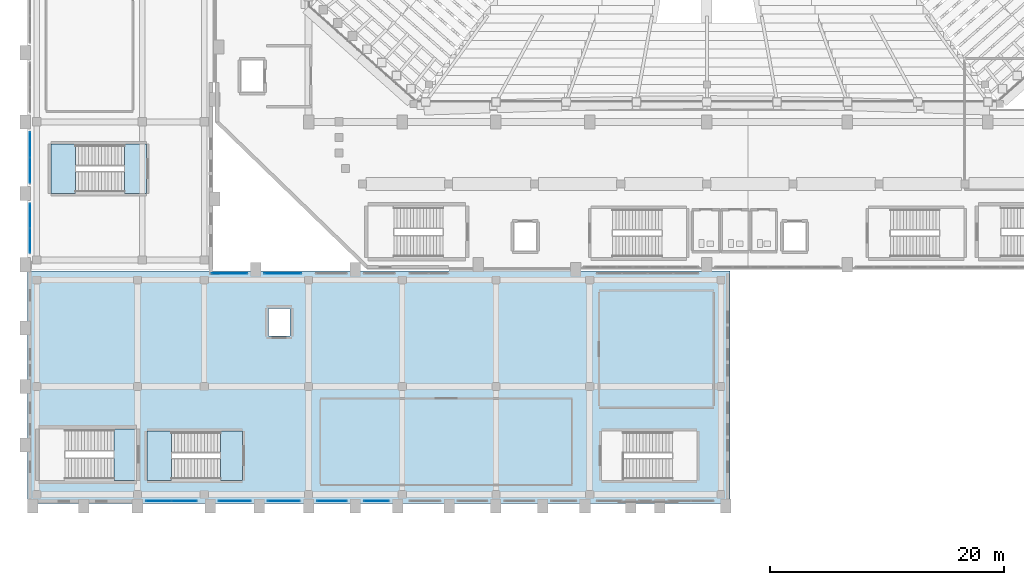
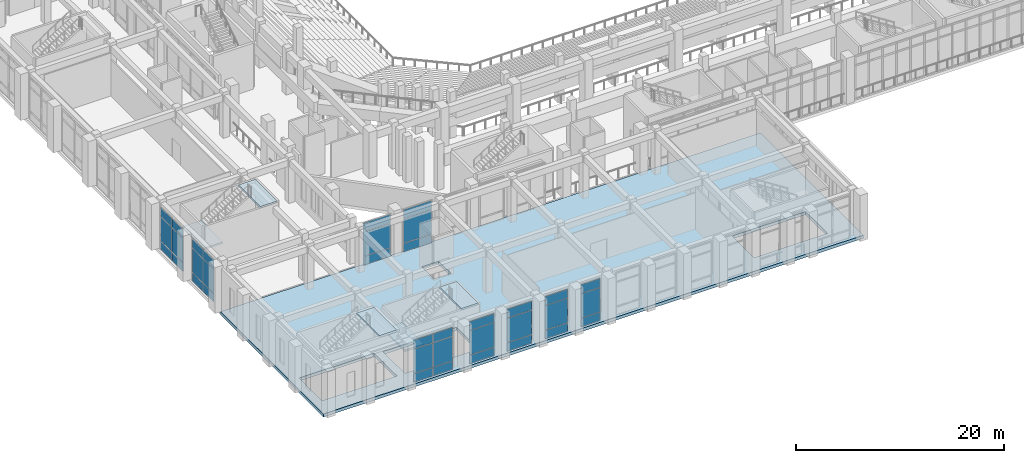
# One storey, part 84 of 159: 36 plates, 6 slabs, 12 elements without a shape of their own.
"""IFC4 building model written with IfcOpenShell, lengths in metres."""

from ifc_helpers import new_model, si_unit, derived_unit, direction, frame, origin, origin_2d, place, context, subcontext, project, spatial, polyline, rectangle, outline, extrude, material, layer, layer_set, type_object, element, aggregate, save


model = new_model("IFC4")

# Units and contexts
model_context = context("Model", 3, precision=1e-05, world=origin(), true_north=direction((0.0, 1.0)))
body_context = subcontext(model_context, "Body", "Model", "MODEL_VIEW")
ifc_project = project(units=[si_unit("LENGTHUNIT", "METRE"), si_unit("AREAUNIT", "SQUARE_METRE"), si_unit("VOLUMEUNIT", "CUBIC_METRE"), si_unit("PLANEANGLEUNIT", "RADIAN"), si_unit("MASSUNIT", "GRAM", prefix="KILO"), derived_unit("THERMALTRANSMITTANCEUNIT", [(si_unit("MASSUNIT", "GRAM", prefix="KILO"), 1), (si_unit("TIMEUNIT", "SECOND"), -3), (si_unit("THERMODYNAMICTEMPERATUREUNIT", "KELVIN"), -1)])], contexts=[model_context])

# Site, building, storey
site_placement = place(None, origin())
site = spatial("IfcSite", under=ifc_project, at=site_placement, CompositionType="ELEMENT")
building_placement = place(site_placement, origin())
building = spatial("IfcBuilding", under=site, at=building_placement, Name="Valcora Ridge Arena", CompositionType="ELEMENT")
storey_placement = place(building_placement, frame((0.0, 0.0, 6.0)))
storey = spatial("IfcBuildingStorey", under=building, at=storey_placement, Name="L01", CompositionType="ELEMENT", Elevation=6.0)

# Stair, slabs
ifc_material_1 = material(Name="Concrete C40/50", Category="concrete")
stair_type_1 = type_object("IfcStairType", Name="TY-STAIR-ES05-54", PredefinedType="HALF_TURN_STAIR", material=ifc_material_1)
stair_1_placement = place(storey_placement, origin())
stair_1 = element("IfcStair", 1, at=stair_1_placement, inside=storey, type_object=stair_type_1, Name="ES05-54 STR-ES-0018", PredefinedType="HALF_TURN_STAIR")
ifc_layer_1 = layer(ifc_material_1, 0.199951171875, Name="Concrete C40/50")
ifc_layer_set_1 = layer_set([ifc_layer_1], Name="Concrete C40/50")
slab_type_1 = type_object("IfcSlabType", Name="TY-LAND-ES05-54", PredefinedType="LANDING", material=ifc_layer_set_1)
slab_1_placement = place(storey_placement, frame((0.0, 0.0, 2.5)))
slab_1 = element("IfcSlab", 2, at=slab_1_placement, type_object=slab_type_1, Name="ES05-54 landing 1", PredefinedType="LANDING", context=body_context, shape_type="SweptSolid", body=[
    extrude(outline(polyline([(10.201904296875, 2.001953125), (12.320068359375, 2.001953125), (12.320068359375, 6.197998046875), (10.201904296875, 6.197998046875), (10.201904296875, 2.001953125)])), origin(), (0.0, 0.0, 1.0), 0.199951171875),
])
slab_2_placement = place(storey_placement, frame((0.0, 0.0, 5.199951171875)))
slab_2 = element("IfcSlab", 3, at=slab_2_placement, type_object=slab_type_1, Name="ES05-54 landing 2", PredefinedType="LANDING", context=body_context, shape_type="SweptSolid", body=[
    extrude(outline(polyline([(16.47998046875, 2.001953125), (18.35791015625, 2.001953125), (18.35791015625, 6.197998046875), (16.47998046875, 6.197998046875), (16.47998046875, 2.001953125)])), origin(), (0.0, 0.0, 1.0), 0.199951171875),
])
aggregate(stair_1, [slab_1, slab_2])

stair_type_2 = type_object("IfcStairType", Name="TY-STAIR-ES07-54", PredefinedType="HALF_TURN_STAIR", material=ifc_material_1)
stair_2_placement = place(storey_placement, origin())
stair_2 = element("IfcStair", 4, at=stair_2_placement, inside=storey, type_object=stair_type_2, Name="ES07-54 STR-ES-0024", PredefinedType="HALF_TURN_STAIR")
ifc_layer_2 = layer(ifc_material_1, 0.199951171875, Name="Concrete C40/50")
ifc_layer_set_2 = layer_set([ifc_layer_2], Name="Concrete C40/50")
slab_type_2 = type_object("IfcSlabType", Name="TY-LAND-ES07-54", PredefinedType="LANDING", material=ifc_layer_set_2)
slab_3_placement = place(storey_placement, frame((0.0, 0.0, 2.5)))
slab_3 = element("IfcSlab", 5, at=slab_3_placement, type_object=slab_type_2, Name="ES07-54 landing 1", PredefinedType="LANDING", context=body_context, shape_type="SweptSolid", body=[
    extrude(outline(polyline([(2.001953125, 26.501953125), (4.1201171875, 26.501953125), (4.1201171875, 30.697998046875), (2.001953125, 30.697998046875), (2.001953125, 26.501953125)])), origin(), (0.0, 0.0, 1.0), 0.199951171875),
])
slab_4_placement = place(storey_placement, frame((0.0, 0.0, 5.199951171875)))
slab_4 = element("IfcSlab", 6, at=slab_4_placement, type_object=slab_type_2, Name="ES07-54 landing 2", PredefinedType="LANDING", context=body_context, shape_type="SweptSolid", body=[
    extrude(outline(polyline([(8.280029296875, 26.501953125), (10.157958984375, 26.501953125), (10.157958984375, 30.697998046875), (8.280029296875, 30.697998046875), (8.280029296875, 26.501953125)])), origin(), (0.0, 0.0, 1.0), 0.199951171875),
])
aggregate(stair_2, [slab_3, slab_4])

# Stair, slab
stair_type_3 = type_object("IfcStairType", Name="TY-STAIR-ST07-54", PredefinedType="HALF_TURN_STAIR", material=ifc_material_1)
stair_3_placement = place(storey_placement, origin())
stair_3 = element("IfcStair", 7, at=stair_3_placement, inside=storey, type_object=stair_type_3, Name="ST07-54 STR-CR-0032", PredefinedType="HALF_TURN_STAIR")
ifc_layer_3 = layer(ifc_material_1, 0.199951171875, Name="Concrete C40/50")
ifc_layer_set_3 = layer_set([ifc_layer_3], Name="Concrete C40/50")
slab_type_3 = type_object("IfcSlabType", Name="TY-LAND-ST07-54", PredefinedType="LANDING", material=ifc_layer_set_3)
slab_5_placement = place(storey_placement, frame((0.0, 0.0, 5.199951171875)))
slab_5 = element("IfcSlab", 8, at=slab_5_placement, type_object=slab_type_3, Name="ST07-54 landing 2", PredefinedType="LANDING", context=body_context, shape_type="SweptSolid", body=[
    extrude(outline(polyline([(7.389892578125, 2.001953125), (9.318115234375, 2.001953125), (9.318115234375, 6.39794921875), (7.389892578125, 6.39794921875), (7.389892578125, 2.001953125)])), origin(), (0.0, 0.0, 1.0), 0.199951171875),
])
aggregate(stair_3, [slab_5])

# Curtain wall, plates
ifc_material_2 = material(Name="Anodised dark bronze architectural aluminium 6063-T6", Category="aluminium")
ifc_layer_4 = layer(ifc_material_2, 0.14990234375, Name="Anodised dark bronze architectural aluminium 6063-T6")
ifc_layer_set_4 = layer_set([ifc_layer_4], Name="Anodised dark bronze architectural aluminium 6063-T6")
curtain_wall_type_1 = type_object("IfcCurtainWallType", Name="TY-CURTAINWALL-CW-V4-CLUB-043X50", PredefinedType="NOTDEFINED", material=ifc_layer_set_4)
curtain_wall_1_placement = place(storey_placement, origin())
curtain_wall_1 = element("IfcCurtainWall", 9, at=curtain_wall_1_placement, inside=storey, type_object=curtain_wall_type_1, Name="CW-V4-CLUB-043X50 CW-0222", PredefinedType="NOTDEFINED")
ifc_material_3 = material(Name="Low-iron solar-control double glazing SHGC 0.28", Category="glass")
ifc_layer_5 = layer(ifc_material_3, 0.028076171875, Name="Low-iron solar-control double glazing SHGC 0.28")
ifc_layer_set_5 = layer_set([ifc_layer_5], Name="Low-iron solar-control double glazing SHGC 0.28")
plate_type_1 = type_object("IfcPlateType", Name="TY-PLT-CWP-2060X0975", PredefinedType="CURTAIN_PANEL", material=ifc_layer_set_5)
plate_1_placement = place(storey_placement, frame((0.219970703125, 22.469970703125, 0.050048828125), z_axis=(0.0, 0.0, 1.0), x_axis=(0.0, 1.0, 0.0)))
plate_1 = element("IfcPlate", 10, at=plate_1_placement, type_object=plate_type_1, Name="CW-0222/P00-00", PredefinedType="CURTAIN_PANEL", context=body_context, shape_type="SweptSolid", body=[
    extrude(rectangle(XDim=2.06005859375, YDim=0.028076171875, at=origin_2d()), origin(), (0.0, 0.0, 1.0), 0.97509765625),
])
plate_2_placement = place(storey_placement, frame((0.219970703125, 24.580078125, 0.050048828125), z_axis=(0.0, 0.0, 1.0), x_axis=(0.0, 1.0, 0.0)))
plate_2 = element("IfcPlate", 11, at=plate_2_placement, type_object=plate_type_1, Name="CW-0222/P01-00", PredefinedType="CURTAIN_PANEL", context=body_context, shape_type="SweptSolid", body=[
    extrude(rectangle(XDim=2.06005859375, YDim=0.028076171875, at=origin_2d()), origin(), (0.0, 0.0, 1.0), 0.97509765625),
])
ifc_layer_6 = layer(ifc_material_3, 0.028076171875, Name="Low-iron solar-control double glazing SHGC 0.28")
ifc_layer_set_6 = layer_set([ifc_layer_6], Name="Low-iron solar-control double glazing SHGC 0.28")
plate_type_2 = type_object("IfcPlateType", Name="TY-PLT-CWP-2060X1025", PredefinedType="CURTAIN_PANEL", material=ifc_layer_set_6)
plate_3_placement = place(storey_placement, frame((0.219970703125, 22.469970703125, 3.965087890625), z_axis=(0.0, 0.0, 1.0), x_axis=(0.0, 1.0, 0.0)))
plate_3 = element("IfcPlate", 12, at=plate_3_placement, type_object=plate_type_2, Name="CW-0222/P00-02", PredefinedType="CURTAIN_PANEL", context=body_context, shape_type="SweptSolid", body=[
    extrude(rectangle(XDim=2.06005859375, YDim=0.028076171875, at=origin_2d()), origin(), (0.0, 0.0, 1.0), 1.02490234375),
])
plate_4_placement = place(storey_placement, frame((0.219970703125, 24.580078125, 3.965087890625), z_axis=(0.0, 0.0, 1.0), x_axis=(0.0, 1.0, 0.0)))
plate_4 = element("IfcPlate", 13, at=plate_4_placement, type_object=plate_type_2, Name="CW-0222/P01-02", PredefinedType="CURTAIN_PANEL", context=body_context, shape_type="SweptSolid", body=[
    extrude(rectangle(XDim=2.06005859375, YDim=0.028076171875, at=origin_2d()), origin(), (0.0, 0.0, 1.0), 1.02490234375),
])
ifc_layer_7 = layer(ifc_material_3, 0.028076171875, Name="Low-iron solar-control double glazing SHGC 0.28")
ifc_layer_set_7 = layer_set([ifc_layer_7], Name="Low-iron solar-control double glazing SHGC 0.28")
plate_type_3 = type_object("IfcPlateType", Name="TY-PLT-CWP-2060X2840", PredefinedType="CURTAIN_PANEL", material=ifc_layer_set_7)
plate_5_placement = place(storey_placement, frame((0.219970703125, 22.469970703125, 1.0751953125), z_axis=(0.0, 0.0, 1.0), x_axis=(0.0, 1.0, 0.0)))
plate_5 = element("IfcPlate", 14, at=plate_5_placement, type_object=plate_type_3, Name="CW-0222/P00-01", PredefinedType="CURTAIN_PANEL", context=body_context, shape_type="SweptSolid", body=[
    extrude(rectangle(XDim=2.06005859375, YDim=0.028076171875, at=origin_2d()), origin(), (0.0, 0.0, 1.0), 2.840087890625),
])
plate_6_placement = place(storey_placement, frame((0.219970703125, 24.580078125, 1.0751953125), z_axis=(0.0, 0.0, 1.0), x_axis=(0.0, 1.0, 0.0)))
plate_6 = element("IfcPlate", 15, at=plate_6_placement, type_object=plate_type_3, Name="CW-0222/P01-01", PredefinedType="CURTAIN_PANEL", context=body_context, shape_type="SweptSolid", body=[
    extrude(rectangle(XDim=2.06005859375, YDim=0.028076171875, at=origin_2d()), origin(), (0.0, 0.0, 1.0), 2.840087890625),
])
aggregate(curtain_wall_1, [plate_1, plate_5, plate_3, plate_2, plate_6, plate_4])

ifc_layer_8 = layer(ifc_material_2, 0.14990234375, Name="Anodised dark bronze architectural aluminium 6063-T6")
ifc_layer_set_8 = layer_set([ifc_layer_8], Name="Anodised dark bronze architectural aluminium 6063-T6")
curtain_wall_type_2 = type_object("IfcCurtainWallType", Name="TY-CURTAINWALL-CW-V4-CLUB-022X50", PredefinedType="NOTDEFINED", material=ifc_layer_set_8)
curtain_wall_2_placement = place(storey_placement, origin())
curtain_wall_2 = element("IfcCurtainWall", 16, at=curtain_wall_2_placement, inside=storey, type_object=curtain_wall_type_2, Name="CW-V4-CLUB-022X50 CW-0208", PredefinedType="NOTDEFINED")
ifc_layer_9 = layer(ifc_material_3, 0.028076171875, Name="Low-iron solar-control double glazing SHGC 0.28")
ifc_layer_set_9 = layer_set([ifc_layer_9], Name="Low-iron solar-control double glazing SHGC 0.28")
plate_type_4 = type_object("IfcPlateType", Name="TY-PLT-CWP-2120X0975", PredefinedType="CURTAIN_PANEL", material=ifc_layer_set_9)
plate_7_placement = place(storey_placement, frame((29.800048828125, 0.219970703125, 0.050048828125), z_axis=(0.0, 0.0, 1.0), x_axis=(1.0, 0.0, 0.0)))
plate_7 = element("IfcPlate", 17, at=plate_7_placement, type_object=plate_type_4, Name="CW-0208/P00-00", PredefinedType="CURTAIN_PANEL", context=body_context, shape_type="SweptSolid", body=[
    extrude(rectangle(XDim=2.1201171875, YDim=0.028076171875, at=origin_2d()), origin(), (0.0, 0.0, 1.0), 0.97509765625),
])
ifc_layer_10 = layer(ifc_material_3, 0.028076171875, Name="Low-iron solar-control double glazing SHGC 0.28")
ifc_layer_set_10 = layer_set([ifc_layer_10], Name="Low-iron solar-control double glazing SHGC 0.28")
plate_type_5 = type_object("IfcPlateType", Name="TY-PLT-CWP-2120X1025", PredefinedType="CURTAIN_PANEL", material=ifc_layer_set_10)
plate_8_placement = place(storey_placement, frame((29.800048828125, 0.219970703125, 3.965087890625), z_axis=(0.0, 0.0, 1.0), x_axis=(1.0, 0.0, 0.0)))
plate_8 = element("IfcPlate", 18, at=plate_8_placement, type_object=plate_type_5, Name="CW-0208/P00-02", PredefinedType="CURTAIN_PANEL", context=body_context, shape_type="SweptSolid", body=[
    extrude(rectangle(XDim=2.1201171875, YDim=0.028076171875, at=origin_2d()), origin(), (0.0, 0.0, 1.0), 1.02490234375),
])
ifc_layer_11 = layer(ifc_material_3, 0.028076171875, Name="Low-iron solar-control double glazing SHGC 0.28")
ifc_layer_set_11 = layer_set([ifc_layer_11], Name="Low-iron solar-control double glazing SHGC 0.28")
plate_type_6 = type_object("IfcPlateType", Name="TY-PLT-CWP-2120X2840", PredefinedType="CURTAIN_PANEL", material=ifc_layer_set_11)
plate_9_placement = place(storey_placement, frame((29.800048828125, 0.219970703125, 1.0751953125), z_axis=(0.0, 0.0, 1.0), x_axis=(1.0, 0.0, 0.0)))
plate_9 = element("IfcPlate", 19, at=plate_9_placement, type_object=plate_type_6, Name="CW-0208/P00-01", PredefinedType="CURTAIN_PANEL", context=body_context, shape_type="SweptSolid", body=[
    extrude(rectangle(XDim=2.1201171875, YDim=0.028076171875, at=origin_2d()), origin(), (0.0, 0.0, 1.0), 2.840087890625),
])
aggregate(curtain_wall_2, [plate_7, plate_9, plate_8])

ifc_layer_12 = layer(ifc_material_2, 0.14990234375, Name="Anodised dark bronze architectural aluminium 6063-T6")
ifc_layer_set_12 = layer_set([ifc_layer_12], Name="Anodised dark bronze architectural aluminium 6063-T6")
curtain_wall_type_3 = type_object("IfcCurtainWallType", Name="TY-CURTAINWALL-CW-V4-CLUB-044X50", PredefinedType="NOTDEFINED", material=ifc_layer_set_12)
curtain_wall_3_placement = place(storey_placement, origin())
curtain_wall_3 = element("IfcCurtainWall", 20, at=curtain_wall_3_placement, inside=storey, type_object=curtain_wall_type_3, Name="CW-V4-CLUB-044X50 CW-0204", PredefinedType="NOTDEFINED")
ifc_layer_13 = layer(ifc_material_3, 0.028076171875, Name="Low-iron solar-control double glazing SHGC 0.28")
ifc_layer_set_13 = layer_set([ifc_layer_13], Name="Low-iron solar-control double glazing SHGC 0.28")
plate_type_7 = type_object("IfcPlateType", Name="TY-PLT-CWP-2135X0975", PredefinedType="CURTAIN_PANEL", material=ifc_layer_set_13)
plate_10_placement = place(storey_placement, frame((11.20751953125, 0.219970703125, 0.050048828125), z_axis=(0.0, 0.0, 1.0), x_axis=(1.0, 0.0, 0.0)))
plate_10 = element("IfcPlate", 21, at=plate_10_placement, type_object=plate_type_7, Name="CW-0204/P00-00", PredefinedType="CURTAIN_PANEL", context=body_context, shape_type="SweptSolid", body=[
    extrude(rectangle(XDim=2.135009765625, YDim=0.028076171875, at=origin_2d()), origin(), (0.0, 0.0, 1.0), 0.97509765625),
])
plate_11_placement = place(storey_placement, frame((13.392578125, 0.219970703125, 0.050048828125), z_axis=(0.0, 0.0, 1.0), x_axis=(1.0, 0.0, 0.0)))
plate_11 = element("IfcPlate", 22, at=plate_11_placement, type_object=plate_type_7, Name="CW-0204/P01-00", PredefinedType="CURTAIN_PANEL", context=body_context, shape_type="SweptSolid", body=[
    extrude(rectangle(XDim=2.135009765625, YDim=0.028076171875, at=origin_2d()), origin(), (0.0, 0.0, 1.0), 0.97509765625),
])

curtain_wall_4_placement = place(storey_placement, origin())
curtain_wall_4 = element("IfcCurtainWall", 23, at=curtain_wall_4_placement, inside=storey, type_object=curtain_wall_type_3, Name="CW-V4-CLUB-044X50 CW-0223", PredefinedType="NOTDEFINED")
plate_12_placement = place(storey_placement, frame((0.219970703125, 28.45751953125, 0.050048828125), z_axis=(0.0, 0.0, 1.0), x_axis=(0.0, 1.0, 0.0)))
plate_12 = element("IfcPlate", 24, at=plate_12_placement, type_object=plate_type_7, Name="CW-0223/P00-00", PredefinedType="CURTAIN_PANEL", context=body_context, shape_type="SweptSolid", body=[
    extrude(rectangle(XDim=2.135009765625, YDim=0.028076171875, at=origin_2d()), origin(), (0.0, 0.0, 1.0), 0.97509765625),
])
plate_13_placement = place(storey_placement, frame((0.219970703125, 30.642578125, 0.050048828125), z_axis=(0.0, 0.0, 1.0), x_axis=(0.0, 1.0, 0.0)))
plate_13 = element("IfcPlate", 25, at=plate_13_placement, type_object=plate_type_7, Name="CW-0223/P01-00", PredefinedType="CURTAIN_PANEL", context=body_context, shape_type="SweptSolid", body=[
    extrude(rectangle(XDim=2.135009765625, YDim=0.028076171875, at=origin_2d()), origin(), (0.0, 0.0, 1.0), 0.97509765625),
])

# Plate
ifc_layer_14 = layer(ifc_material_3, 0.028076171875, Name="Low-iron solar-control double glazing SHGC 0.28")
ifc_layer_set_14 = layer_set([ifc_layer_14], Name="Low-iron solar-control double glazing SHGC 0.28")
plate_type_8 = type_object("IfcPlateType", Name="TY-PLT-CWP-2135X1025", PredefinedType="CURTAIN_PANEL", material=ifc_layer_set_14)
plate_14_placement = place(storey_placement, frame((11.20751953125, 0.219970703125, 3.965087890625), z_axis=(0.0, 0.0, 1.0), x_axis=(1.0, 0.0, 0.0)))
plate_14 = element("IfcPlate", 26, at=plate_14_placement, type_object=plate_type_8, Name="CW-0204/P00-02", PredefinedType="CURTAIN_PANEL", context=body_context, shape_type="SweptSolid", body=[
    extrude(rectangle(XDim=2.135009765625, YDim=0.028076171875, at=origin_2d()), origin(), (0.0, 0.0, 1.0), 1.02490234375),
])

plate_15_placement = place(storey_placement, frame((13.392578125, 0.219970703125, 3.965087890625), z_axis=(0.0, 0.0, 1.0), x_axis=(1.0, 0.0, 0.0)))
plate_15 = element("IfcPlate", 27, at=plate_15_placement, type_object=plate_type_8, Name="CW-0204/P01-02", PredefinedType="CURTAIN_PANEL", context=body_context, shape_type="SweptSolid", body=[
    extrude(rectangle(XDim=2.135009765625, YDim=0.028076171875, at=origin_2d()), origin(), (0.0, 0.0, 1.0), 1.02490234375),
])

plate_16_placement = place(storey_placement, frame((0.219970703125, 28.45751953125, 3.965087890625), z_axis=(0.0, 0.0, 1.0), x_axis=(0.0, 1.0, 0.0)))
plate_16 = element("IfcPlate", 28, at=plate_16_placement, type_object=plate_type_8, Name="CW-0223/P00-02", PredefinedType="CURTAIN_PANEL", context=body_context, shape_type="SweptSolid", body=[
    extrude(rectangle(XDim=2.135009765625, YDim=0.028076171875, at=origin_2d()), origin(), (0.0, 0.0, 1.0), 1.02490234375),
])

plate_17_placement = place(storey_placement, frame((0.219970703125, 30.642578125, 3.965087890625), z_axis=(0.0, 0.0, 1.0), x_axis=(0.0, 1.0, 0.0)))
plate_17 = element("IfcPlate", 29, at=plate_17_placement, type_object=plate_type_8, Name="CW-0223/P01-02", PredefinedType="CURTAIN_PANEL", context=body_context, shape_type="SweptSolid", body=[
    extrude(rectangle(XDim=2.135009765625, YDim=0.028076171875, at=origin_2d()), origin(), (0.0, 0.0, 1.0), 1.02490234375),
])

ifc_layer_15 = layer(ifc_material_3, 0.028076171875, Name="Low-iron solar-control double glazing SHGC 0.28")
ifc_layer_set_15 = layer_set([ifc_layer_15], Name="Low-iron solar-control double glazing SHGC 0.28")
plate_type_9 = type_object("IfcPlateType", Name="TY-PLT-CWP-2135X2840", PredefinedType="CURTAIN_PANEL", material=ifc_layer_set_15)
plate_18_placement = place(storey_placement, frame((11.20751953125, 0.219970703125, 1.0751953125), z_axis=(0.0, 0.0, 1.0), x_axis=(1.0, 0.0, 0.0)))
plate_18 = element("IfcPlate", 30, at=plate_18_placement, type_object=plate_type_9, Name="CW-0204/P00-01", PredefinedType="CURTAIN_PANEL", context=body_context, shape_type="SweptSolid", body=[
    extrude(rectangle(XDim=2.135009765625, YDim=0.028076171875, at=origin_2d()), origin(), (0.0, 0.0, 1.0), 2.840087890625),
])

plate_19_placement = place(storey_placement, frame((13.392578125, 0.219970703125, 1.0751953125), z_axis=(0.0, 0.0, 1.0), x_axis=(1.0, 0.0, 0.0)))
plate_19 = element("IfcPlate", 31, at=plate_19_placement, type_object=plate_type_9, Name="CW-0204/P01-01", PredefinedType="CURTAIN_PANEL", context=body_context, shape_type="SweptSolid", body=[
    extrude(rectangle(XDim=2.135009765625, YDim=0.028076171875, at=origin_2d()), origin(), (0.0, 0.0, 1.0), 2.840087890625),
])

aggregate(curtain_wall_3, [plate_10, plate_18, plate_14, plate_11, plate_19, plate_15])

plate_20_placement = place(storey_placement, frame((0.219970703125, 28.45751953125, 1.0751953125), z_axis=(0.0, 0.0, 1.0), x_axis=(0.0, 1.0, 0.0)))
plate_20 = element("IfcPlate", 32, at=plate_20_placement, type_object=plate_type_9, Name="CW-0223/P00-01", PredefinedType="CURTAIN_PANEL", context=body_context, shape_type="SweptSolid", body=[
    extrude(rectangle(XDim=2.135009765625, YDim=0.028076171875, at=origin_2d()), origin(), (0.0, 0.0, 1.0), 2.840087890625),
])

plate_21_placement = place(storey_placement, frame((0.219970703125, 30.642578125, 1.0751953125), z_axis=(0.0, 0.0, 1.0), x_axis=(0.0, 1.0, 0.0)))
plate_21 = element("IfcPlate", 33, at=plate_21_placement, type_object=plate_type_9, Name="CW-0223/P01-01", PredefinedType="CURTAIN_PANEL", context=body_context, shape_type="SweptSolid", body=[
    extrude(rectangle(XDim=2.135009765625, YDim=0.028076171875, at=origin_2d()), origin(), (0.0, 0.0, 1.0), 2.840087890625),
])

aggregate(curtain_wall_4, [plate_12, plate_20, plate_16, plate_13, plate_21, plate_17])

# Curtain wall, plates
ifc_layer_16 = layer(ifc_material_2, 0.14990234375, Name="Anodised dark bronze architectural aluminium 6063-T6")
ifc_layer_set_16 = layer_set([ifc_layer_16], Name="Anodised dark bronze architectural aluminium 6063-T6")
curtain_wall_type_4 = type_object("IfcCurtainWallType", Name="TY-CURTAINWALL-CW-V4-CLUB-026X50", PredefinedType="NOTDEFINED", material=ifc_layer_set_16)
curtain_wall_5_placement = place(storey_placement, origin())
curtain_wall_5 = element("IfcCurtainWall", 34, at=curtain_wall_5_placement, inside=storey, type_object=curtain_wall_type_4, Name="CW-V4-CLUB-026X50 CW-0207", PredefinedType="NOTDEFINED")
ifc_layer_17 = layer(ifc_material_3, 0.028076171875, Name="Low-iron solar-control double glazing SHGC 0.28")
ifc_layer_set_17 = layer_set([ifc_layer_17], Name="Low-iron solar-control double glazing SHGC 0.28")
plate_type_10 = type_object("IfcPlateType", Name="TY-PLT-CWP-2520X0975", PredefinedType="CURTAIN_PANEL", material=ifc_layer_set_17)
plate_22_placement = place(storey_placement, frame((26.0, 0.219970703125, 0.050048828125), z_axis=(0.0, 0.0, 1.0), x_axis=(1.0, 0.0, 0.0)))
plate_22 = element("IfcPlate", 35, at=plate_22_placement, type_object=plate_type_10, Name="CW-0207/P00-00", PredefinedType="CURTAIN_PANEL", context=body_context, shape_type="SweptSolid", body=[
    extrude(rectangle(XDim=2.52001953125, YDim=0.028076171875, at=origin_2d()), origin(), (0.0, 0.0, 1.0), 0.97509765625),
])
ifc_layer_18 = layer(ifc_material_3, 0.028076171875, Name="Low-iron solar-control double glazing SHGC 0.28")
ifc_layer_set_18 = layer_set([ifc_layer_18], Name="Low-iron solar-control double glazing SHGC 0.28")
plate_type_11 = type_object("IfcPlateType", Name="TY-PLT-CWP-2520X1025", PredefinedType="CURTAIN_PANEL", material=ifc_layer_set_18)
plate_23_placement = place(storey_placement, frame((26.0, 0.219970703125, 3.965087890625), z_axis=(0.0, 0.0, 1.0), x_axis=(1.0, 0.0, 0.0)))
plate_23 = element("IfcPlate", 36, at=plate_23_placement, type_object=plate_type_11, Name="CW-0207/P00-02", PredefinedType="CURTAIN_PANEL", context=body_context, shape_type="SweptSolid", body=[
    extrude(rectangle(XDim=2.52001953125, YDim=0.028076171875, at=origin_2d()), origin(), (0.0, 0.0, 1.0), 1.02490234375),
])
ifc_layer_19 = layer(ifc_material_3, 0.028076171875, Name="Low-iron solar-control double glazing SHGC 0.28")
ifc_layer_set_19 = layer_set([ifc_layer_19], Name="Low-iron solar-control double glazing SHGC 0.28")
plate_type_12 = type_object("IfcPlateType", Name="TY-PLT-CWP-2520X2840", PredefinedType="CURTAIN_PANEL", material=ifc_layer_set_19)
plate_24_placement = place(storey_placement, frame((26.0, 0.219970703125, 1.0751953125), z_axis=(0.0, 0.0, 1.0), x_axis=(1.0, 0.0, 0.0)))
plate_24 = element("IfcPlate", 37, at=plate_24_placement, type_object=plate_type_12, Name="CW-0207/P00-01", PredefinedType="CURTAIN_PANEL", context=body_context, shape_type="SweptSolid", body=[
    extrude(rectangle(XDim=2.52001953125, YDim=0.028076171875, at=origin_2d()), origin(), (0.0, 0.0, 1.0), 2.840087890625),
])
aggregate(curtain_wall_5, [plate_22, plate_24, plate_23])

# Curtain wall, plate
ifc_layer_20 = layer(ifc_material_2, 0.14990234375, Name="Anodised dark bronze architectural aluminium 6063-T6")
ifc_layer_set_20 = layer_set([ifc_layer_20], Name="Anodised dark bronze architectural aluminium 6063-T6")
curtain_wall_type_5 = type_object("IfcCurtainWallType", Name="TY-CURTAINWALL-CW-V4-CLUB-028X50", PredefinedType="NOTDEFINED", material=ifc_layer_set_20)
curtain_wall_6_placement = place(storey_placement, origin())
curtain_wall_6 = element("IfcCurtainWall", 38, at=curtain_wall_6_placement, inside=storey, type_object=curtain_wall_type_5, Name="CW-V4-CLUB-028X50 CW-0205", PredefinedType="NOTDEFINED")
ifc_layer_21 = layer(ifc_material_3, 0.028076171875, Name="Low-iron solar-control double glazing SHGC 0.28")
ifc_layer_set_21 = layer_set([ifc_layer_21], Name="Low-iron solar-control double glazing SHGC 0.28")
plate_type_13 = type_object("IfcPlateType", Name="TY-PLT-CWP-2720X0975", PredefinedType="CURTAIN_PANEL", material=ifc_layer_set_21)
plate_25_placement = place(storey_placement, frame((17.699951171875, 0.219970703125, 0.050048828125), z_axis=(0.0, 0.0, 1.0), x_axis=(1.0, 0.0, 0.0)))
plate_25 = element("IfcPlate", 39, at=plate_25_placement, type_object=plate_type_13, Name="CW-0205/P00-00", PredefinedType="CURTAIN_PANEL", context=body_context, shape_type="SweptSolid", body=[
    extrude(rectangle(XDim=2.719970703125, YDim=0.028076171875, at=origin_2d()), origin(), (0.0, 0.0, 1.0), 0.97509765625),
])

curtain_wall_7_placement = place(storey_placement, origin())
curtain_wall_7 = element("IfcCurtainWall", 40, at=curtain_wall_7_placement, inside=storey, type_object=curtain_wall_type_5, Name="CW-V4-CLUB-028X50 CW-0206", PredefinedType="NOTDEFINED")
plate_26_placement = place(storey_placement, frame((21.89990234375, 0.219970703125, 0.050048828125), z_axis=(0.0, 0.0, 1.0), x_axis=(1.0, 0.0, 0.0)))
plate_26 = element("IfcPlate", 41, at=plate_26_placement, type_object=plate_type_13, Name="CW-0206/P00-00", PredefinedType="CURTAIN_PANEL", context=body_context, shape_type="SweptSolid", body=[
    extrude(rectangle(XDim=2.719970703125, YDim=0.028076171875, at=origin_2d()), origin(), (0.0, 0.0, 1.0), 0.97509765625),
])

# Plate
ifc_layer_22 = layer(ifc_material_3, 0.028076171875, Name="Low-iron solar-control double glazing SHGC 0.28")
ifc_layer_set_22 = layer_set([ifc_layer_22], Name="Low-iron solar-control double glazing SHGC 0.28")
plate_type_14 = type_object("IfcPlateType", Name="TY-PLT-CWP-2720X1025", PredefinedType="CURTAIN_PANEL", material=ifc_layer_set_22)
plate_27_placement = place(storey_placement, frame((17.699951171875, 0.219970703125, 3.965087890625), z_axis=(0.0, 0.0, 1.0), x_axis=(1.0, 0.0, 0.0)))
plate_27 = element("IfcPlate", 42, at=plate_27_placement, type_object=plate_type_14, Name="CW-0205/P00-02", PredefinedType="CURTAIN_PANEL", context=body_context, shape_type="SweptSolid", body=[
    extrude(rectangle(XDim=2.719970703125, YDim=0.028076171875, at=origin_2d()), origin(), (0.0, 0.0, 1.0), 1.02490234375),
])

plate_28_placement = place(storey_placement, frame((21.89990234375, 0.219970703125, 3.965087890625), z_axis=(0.0, 0.0, 1.0), x_axis=(1.0, 0.0, 0.0)))
plate_28 = element("IfcPlate", 43, at=plate_28_placement, type_object=plate_type_14, Name="CW-0206/P00-02", PredefinedType="CURTAIN_PANEL", context=body_context, shape_type="SweptSolid", body=[
    extrude(rectangle(XDim=2.719970703125, YDim=0.028076171875, at=origin_2d()), origin(), (0.0, 0.0, 1.0), 1.02490234375),
])

ifc_layer_23 = layer(ifc_material_3, 0.028076171875, Name="Low-iron solar-control double glazing SHGC 0.28")
ifc_layer_set_23 = layer_set([ifc_layer_23], Name="Low-iron solar-control double glazing SHGC 0.28")
plate_type_15 = type_object("IfcPlateType", Name="TY-PLT-CWP-2720X2840", PredefinedType="CURTAIN_PANEL", material=ifc_layer_set_23)
plate_29_placement = place(storey_placement, frame((17.699951171875, 0.219970703125, 1.0751953125), z_axis=(0.0, 0.0, 1.0), x_axis=(1.0, 0.0, 0.0)))
plate_29 = element("IfcPlate", 44, at=plate_29_placement, type_object=plate_type_15, Name="CW-0205/P00-01", PredefinedType="CURTAIN_PANEL", context=body_context, shape_type="SweptSolid", body=[
    extrude(rectangle(XDim=2.719970703125, YDim=0.028076171875, at=origin_2d()), origin(), (0.0, 0.0, 1.0), 2.840087890625),
])

aggregate(curtain_wall_6, [plate_25, plate_29, plate_27])

plate_30_placement = place(storey_placement, frame((21.89990234375, 0.219970703125, 1.0751953125), z_axis=(0.0, 0.0, 1.0), x_axis=(1.0, 0.0, 0.0)))
plate_30 = element("IfcPlate", 45, at=plate_30_placement, type_object=plate_type_15, Name="CW-0206/P00-01", PredefinedType="CURTAIN_PANEL", context=body_context, shape_type="SweptSolid", body=[
    extrude(rectangle(XDim=2.719970703125, YDim=0.028076171875, at=origin_2d()), origin(), (0.0, 0.0, 1.0), 2.840087890625),
])

aggregate(curtain_wall_7, [plate_26, plate_30, plate_28])

# Curtain wall, plates
ifc_layer_24 = layer(ifc_material_2, 0.14990234375, Name="Anodised dark bronze architectural aluminium 6063-T6")
ifc_layer_set_24 = layer_set([ifc_layer_24], Name="Anodised dark bronze architectural aluminium 6063-T6")
curtain_wall_type_6 = type_object("IfcCurtainWallType", Name="TY-CURTAINWALL-CW-V4-CLUB-031X50", PredefinedType="NOTDEFINED", material=ifc_layer_set_24)
curtain_wall_8_placement = place(storey_placement, origin())
curtain_wall_8 = element("IfcCurtainWall", 46, at=curtain_wall_8_placement, inside=storey, type_object=curtain_wall_type_6, Name="CW-V4-CLUB-031X50 CW-0216", PredefinedType="NOTDEFINED")
ifc_layer_25 = layer(ifc_material_3, 0.028076171875, Name="Low-iron solar-control double glazing SHGC 0.28")
ifc_layer_set_25 = layer_set([ifc_layer_25], Name="Low-iron solar-control double glazing SHGC 0.28")
plate_type_16 = type_object("IfcPlateType", Name="TY-PLT-CWP-3020X0975", PredefinedType="CURTAIN_PANEL", material=ifc_layer_set_25)
plate_31_placement = place(storey_placement, frame((17.25, 19.64990234375, 0.050048828125), z_axis=(0.0, 0.0, 1.0), x_axis=(1.0, 0.0, 0.0)))
plate_31 = element("IfcPlate", 47, at=plate_31_placement, type_object=plate_type_16, Name="CW-0216/P00-00", PredefinedType="CURTAIN_PANEL", context=body_context, shape_type="SweptSolid", body=[
    extrude(rectangle(XDim=3.02001953125, YDim=0.028076171875, at=origin_2d()), origin(), (0.0, 0.0, 1.0), 0.97509765625),
])
ifc_layer_26 = layer(ifc_material_3, 0.028076171875, Name="Low-iron solar-control double glazing SHGC 0.28")
ifc_layer_set_26 = layer_set([ifc_layer_26], Name="Low-iron solar-control double glazing SHGC 0.28")
plate_type_17 = type_object("IfcPlateType", Name="TY-PLT-CWP-3020X1025", PredefinedType="CURTAIN_PANEL", material=ifc_layer_set_26)
plate_32_placement = place(storey_placement, frame((17.25, 19.64990234375, 3.965087890625), z_axis=(0.0, 0.0, 1.0), x_axis=(1.0, 0.0, 0.0)))
plate_32 = element("IfcPlate", 48, at=plate_32_placement, type_object=plate_type_17, Name="CW-0216/P00-02", PredefinedType="CURTAIN_PANEL", context=body_context, shape_type="SweptSolid", body=[
    extrude(rectangle(XDim=3.02001953125, YDim=0.028076171875, at=origin_2d()), origin(), (0.0, 0.0, 1.0), 1.02490234375),
])
ifc_layer_27 = layer(ifc_material_3, 0.028076171875, Name="Low-iron solar-control double glazing SHGC 0.28")
ifc_layer_set_27 = layer_set([ifc_layer_27], Name="Low-iron solar-control double glazing SHGC 0.28")
plate_type_18 = type_object("IfcPlateType", Name="TY-PLT-CWP-3020X2840", PredefinedType="CURTAIN_PANEL", material=ifc_layer_set_27)
plate_33_placement = place(storey_placement, frame((17.25, 19.64990234375, 1.0751953125), z_axis=(0.0, 0.0, 1.0), x_axis=(1.0, 0.0, 0.0)))
plate_33 = element("IfcPlate", 49, at=plate_33_placement, type_object=plate_type_18, Name="CW-0216/P00-01", PredefinedType="CURTAIN_PANEL", context=body_context, shape_type="SweptSolid", body=[
    extrude(rectangle(XDim=3.02001953125, YDim=0.028076171875, at=origin_2d()), origin(), (0.0, 0.0, 1.0), 2.840087890625),
])
aggregate(curtain_wall_8, [plate_31, plate_33, plate_32])

ifc_layer_28 = layer(ifc_material_2, 0.14990234375, Name="Anodised dark bronze architectural aluminium 6063-T6")
ifc_layer_set_28 = layer_set([ifc_layer_28], Name="Anodised dark bronze architectural aluminium 6063-T6")
curtain_wall_type_7 = type_object("IfcCurtainWallType", Name="TY-CURTAINWALL-CW-V4-CLUB-032X50", PredefinedType="NOTDEFINED", material=ifc_layer_set_28)
curtain_wall_9_placement = place(storey_placement, origin())
curtain_wall_9 = element("IfcCurtainWall", 50, at=curtain_wall_9_placement, inside=storey, type_object=curtain_wall_type_7, Name="CW-V4-CLUB-032X50 CW-0217", PredefinedType="NOTDEFINED")
ifc_layer_29 = layer(ifc_material_3, 0.028076171875, Name="Low-iron solar-control double glazing SHGC 0.28")
ifc_layer_set_29 = layer_set([ifc_layer_29], Name="Low-iron solar-control double glazing SHGC 0.28")
plate_type_19 = type_object("IfcPlateType", Name="TY-PLT-CWP-3120X0975", PredefinedType="CURTAIN_PANEL", material=ifc_layer_set_29)
plate_34_placement = place(storey_placement, frame((21.800048828125, 19.64990234375, 0.050048828125), z_axis=(0.0, 0.0, 1.0), x_axis=(1.0, 0.0, 0.0)))
plate_34 = element("IfcPlate", 51, at=plate_34_placement, type_object=plate_type_19, Name="CW-0217/P00-00", PredefinedType="CURTAIN_PANEL", context=body_context, shape_type="SweptSolid", body=[
    extrude(rectangle(XDim=3.1201171875, YDim=0.028076171875, at=origin_2d()), origin(), (0.0, 0.0, 1.0), 0.97509765625),
])
ifc_layer_30 = layer(ifc_material_3, 0.028076171875, Name="Low-iron solar-control double glazing SHGC 0.28")
ifc_layer_set_30 = layer_set([ifc_layer_30], Name="Low-iron solar-control double glazing SHGC 0.28")
plate_type_20 = type_object("IfcPlateType", Name="TY-PLT-CWP-3120X1025", PredefinedType="CURTAIN_PANEL", material=ifc_layer_set_30)
plate_35_placement = place(storey_placement, frame((21.800048828125, 19.64990234375, 3.965087890625), z_axis=(0.0, 0.0, 1.0), x_axis=(1.0, 0.0, 0.0)))
plate_35 = element("IfcPlate", 52, at=plate_35_placement, type_object=plate_type_20, Name="CW-0217/P00-02", PredefinedType="CURTAIN_PANEL", context=body_context, shape_type="SweptSolid", body=[
    extrude(rectangle(XDim=3.1201171875, YDim=0.028076171875, at=origin_2d()), origin(), (0.0, 0.0, 1.0), 1.02490234375),
])
ifc_layer_31 = layer(ifc_material_3, 0.028076171875, Name="Low-iron solar-control double glazing SHGC 0.28")
ifc_layer_set_31 = layer_set([ifc_layer_31], Name="Low-iron solar-control double glazing SHGC 0.28")
plate_type_21 = type_object("IfcPlateType", Name="TY-PLT-CWP-3120X2840", PredefinedType="CURTAIN_PANEL", material=ifc_layer_set_31)
plate_36_placement = place(storey_placement, frame((21.800048828125, 19.64990234375, 1.0751953125), z_axis=(0.0, 0.0, 1.0), x_axis=(1.0, 0.0, 0.0)))
plate_36 = element("IfcPlate", 53, at=plate_36_placement, type_object=plate_type_21, Name="CW-0217/P00-01", PredefinedType="CURTAIN_PANEL", context=body_context, shape_type="SweptSolid", body=[
    extrude(rectangle(XDim=3.1201171875, YDim=0.028076171875, at=origin_2d()), origin(), (0.0, 0.0, 1.0), 2.840087890625),
])
aggregate(curtain_wall_9, [plate_34, plate_36, plate_35])

# Slab
ifc_layer_32 = layer(ifc_material_1, 0.360107421875, Name="Concrete C40/50")
ifc_layer_set_32 = layer_set([ifc_layer_32], Name="Concrete C40/50")
slab_type_4 = type_object("IfcSlabType", Name="TY-SLAB-SL-V4-360S", PredefinedType="FLOOR", material=ifc_layer_set_32)
slab_6_placement = place(storey_placement, frame((0.0, 0.0, -0.360107421875)))
element("IfcSlab", 54, at=slab_6_placement, inside=storey, type_object=slab_type_4, Name="SL-V4-360S SLB-0058", PredefinedType="FLOOR", context=body_context, shape_type="SweptSolid", body=[
    extrude(outline(polyline([(0.0, 0.0), (60.0, 0.0), (60.0, 19.85009765625), (0.0, 19.85009765625), (0.0, 0.0)]), holes=[polyline([(10.199951171875, 6.199951171875), (10.199951171875, 2.0), (18.360107421875, 2.0), (18.360107421875, 6.199951171875), (10.199951171875, 6.199951171875)]), polyline([(57.159912109375, 6.199951171875), (49.0, 6.199951171875), (49.0, 2.0), (57.159912109375, 2.0), (57.159912109375, 6.199951171875)]), polyline([(9.320068359375, 6.39990234375), (1.0, 6.39990234375), (1.0, 2.0), (9.320068359375, 2.0), (9.320068359375, 6.39990234375)]), polyline([(20.580078125, 16.669921875), (20.580078125, 14.330078125), (22.419921875, 14.330078125), (22.419921875, 16.669921875), (20.580078125, 16.669921875)])]), origin(), (0.0, 0.0, 1.0), 0.360107421875),
])

save(model, "model.ifc")
